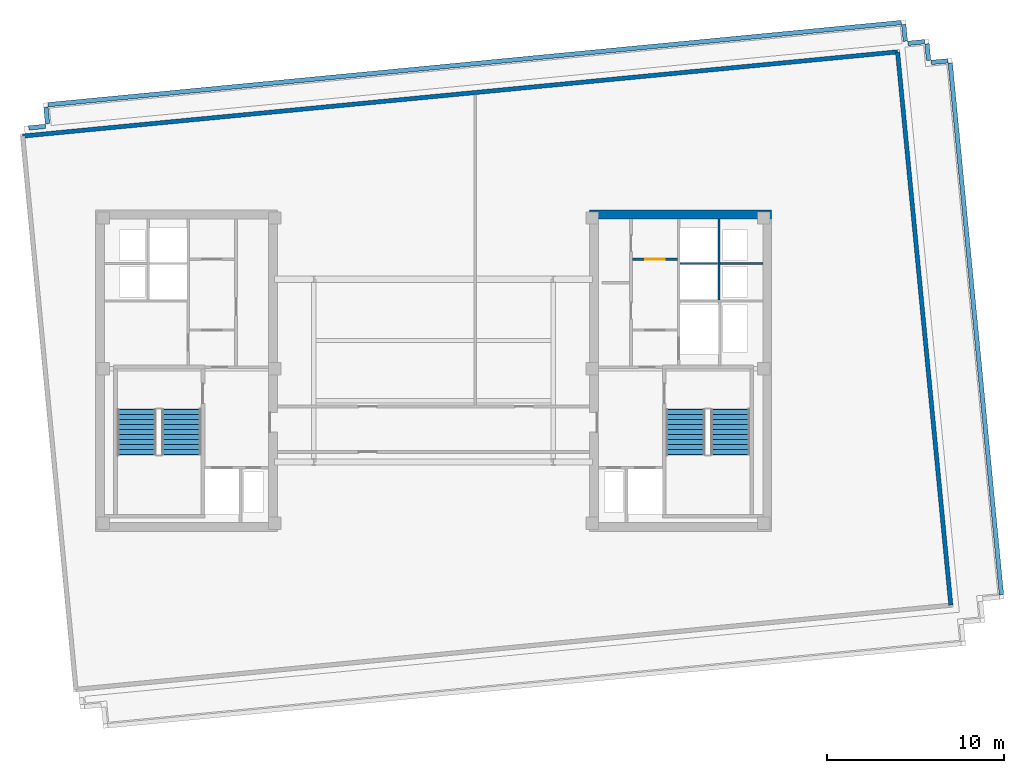
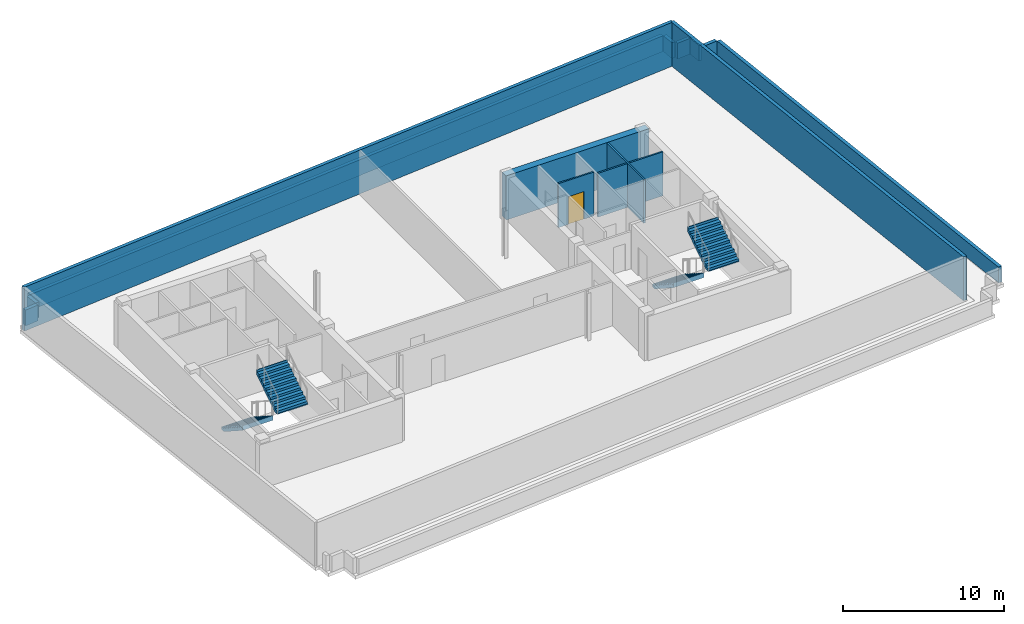
# One storey, part 4 of 8: 15 walls, 4 stair flights, 1 door, 1 opening, 2 elements without a shape of their own.
"""IFC4 building model written with IfcOpenShell, lengths in metres."""

from ifc_helpers import new_model, si_unit, direction, frame, frame_2d, origin, place, context, subcontext, project, spatial, polyline, rectangle, outline, extrude, material, layer, layer_set, type_object, element, fill, aggregate, save


model = new_model("IFC4")

# Units and contexts
model_context = context("Model", 3, precision=1e-05, world=origin(), true_north=direction((0.0, 1.0)))
body_context = subcontext(model_context, "Body", "Model", "MODEL_VIEW")
ifc_project = project(units=[si_unit("LENGTHUNIT", "METRE"), si_unit("AREAUNIT", "SQUARE_METRE"), si_unit("VOLUMEUNIT", "CUBIC_METRE"), si_unit("PLANEANGLEUNIT", "RADIAN"), si_unit("MASSUNIT", "GRAM", prefix="KILO")], contexts=[model_context])

# Site, building, storey
site_placement = place(None, origin())
site = spatial("IfcSite", under=ifc_project, at=site_placement, CompositionType="ELEMENT")
building_placement = place(site_placement, origin())
building = spatial("IfcBuilding", under=site, at=building_placement, Name="Velakula Bourse", CompositionType="ELEMENT")
storey_placement = place(building_placement, frame((0.0, 0.0, 286.949951171875)))
storey = spatial("IfcBuildingStorey", under=building, at=storey_placement, Name="L78", CompositionType="ELEMENT", Elevation=286.949951171875)

# Walls
ifc_material_1 = material(Name="Concrete M50 (fck 50 MPa)", Category="concrete")
ifc_layer_1 = layer(ifc_material_1, 0.5, Name="Concrete M50 (fck 50 MPa)", Category="concrete")
ifc_layer_set_1 = layer_set([ifc_layer_1], Name="Concrete M50 (fck 50 MPa)")
wall_type_1 = type_object("IfcWallType", Name="WL-CORE-500", PredefinedType="SHEAR", material=ifc_layer_set_1)
wall_1_placement = place(storey_placement, frame((8.800048828125, 8.800048828125, 0.0), z_axis=(0.0, 0.0, 1.0), x_axis=(1.0, 0.0, 0.0)))
element("IfcWall", 1, at=wall_1_placement, inside=storey, type_object=wall_type_1, Name="L78 Core E Shear Wall N", PredefinedType="SHEAR", context=body_context, shape_type="SweptSolid", body=[
    extrude(rectangle(XDim=10.25, YDim=0.5, at=frame_2d((5.125, 0.0))), origin(), (0.0, 0.0, 1.0), 3.35009765625),
])
ifc_material_2 = material(Name="Buff kilned clay facing brick masonry", Category="masonry")
ifc_layer_2 = layer(ifc_material_2, 0.239990234375, Name="Buff kilned clay facing brick masonry", Category="masonry")
ifc_layer_set_2 = layer_set([ifc_layer_2], Name="Buff kilned clay facing brick masonry")
wall_type_2 = type_object("IfcWallType", Name="WL-EXT-CRN-240", PredefinedType="STANDARD", material=ifc_layer_set_2)
wall_2_placement = place(storey_placement, frame((29.14697265625, -13.21484375, 0.0), z_axis=(0.0, 0.0, 1.0), x_axis=(-0.095847866435, 0.995395994818, 0.0)))
element("IfcWall", 2, at=wall_2_placement, inside=storey, type_object=wall_type_2, Name="L78 Crown Brick Acoustic Wall E", PredefinedType="STANDARD", context=body_context, shape_type="SweptSolid", body=[
    extrude(rectangle(XDim=31.320068359375, YDim=0.239990234375, at=frame_2d((15.66015625, 0.0))), origin(), (0.0, 0.0, 1.0), 3.330078125),
])
wall_3_placement = place(storey_placement, frame((26.14501953125, 17.9609375, 0.0), z_axis=(0.0, 0.0, 1.0), x_axis=(-0.995396555283, -0.095842045739, 0.0)))
element("IfcWall", 3, at=wall_3_placement, inside=storey, type_object=wall_type_2, Name="L78 Crown Brick Acoustic Wall N", PredefinedType="STANDARD", context=body_context, shape_type="SweptSolid", body=[
    extrude(rectangle(XDim=49.52001953125, YDim=0.239990234375, at=frame_2d((24.760009765625, 0.0))), origin(), (0.0, 0.0, 1.0), 3.330078125),
])
ifc_layer_3 = layer(ifc_material_2, 0.25, Name="Buff kilned clay facing brick masonry", Category="masonry")
ifc_layer_set_3 = layer_set([ifc_layer_3], Name="Buff kilned clay facing brick masonry")
wall_type_3 = type_object("IfcWallType", Name="WL-PAR-ROOF-250", PredefinedType="PARAPET", material=ifc_layer_set_3)
for number, where, z_axis, x_axis, name in (
    (4, (-22.80322265625, 13.6748046875, 0.0), (0.0, 0.0, 1.0), (0.995395693608, 0.095850994504, 0.0), "L78 Closed Roof Perimeter Parapet 1"),
    (5, (-21.75048828125, 13.906982421875, 0.0), (0.0, 0.0, 1.0), (-0.096108357165, 0.995370877454, 0.0), "L78 Closed Roof Perimeter Parapet 2"),
):
    element("IfcWall", number, at=place(storey_placement, frame(where, z_axis=z_axis, x_axis=x_axis)), inside=storey, type_object=wall_type_3, Name=name, PredefinedType="PARAPET", context=body_context, shape_type="SweptSolid", body=[
        extrude(rectangle(XDim=0.93994140625, YDim=0.25, at=frame_2d((0.469970703125, 0.0))), origin(), (0.0, 0.0, 1.0), 1.199951171875),
    ])
wall_4_placement = place(storey_placement, frame((-21.723876953125, 14.984375, 0.0), z_axis=(0.0, 0.0, 1.0), x_axis=(0.995396156603, 0.095846186259, 0.0)))
element("IfcWall", 6, at=wall_4_placement, inside=storey, type_object=wall_type_3, Name="L78 Closed Roof Perimeter Parapet 3", PredefinedType="PARAPET", context=body_context, shape_type="SweptSolid", body=[
    extrude(rectangle(XDim=48.30029296875, YDim=0.25, at=frame_2d((24.150146484375, 0.0))), origin(), (0.0, 0.0, 1.0), 1.199951171875),
])
wall_5_placement = place(storey_placement, frame((26.49560546875, 19.49658203125, 0.0), z_axis=(0.0, 0.0, 1.0), x_axis=(0.095875784384, -0.99539330617, 0.0)))
element("IfcWall", 7, at=wall_5_placement, inside=storey, type_object=wall_type_3, Name="L78 Closed Roof Perimeter Parapet 4", PredefinedType="PARAPET", context=body_context, shape_type="SweptSolid", body=[
    extrude(rectangle(XDim=0.939697265625, YDim=0.25, at=frame_2d((0.4697265625, 0.0))), origin(), (0.0, 0.0, 1.0), 1.199951171875),
])
wall_6_placement = place(storey_placement, frame((26.727783203125, 18.444091796875, 0.0), z_axis=(0.0, 0.0, 1.0), x_axis=(0.995395693608, 0.095850994504, 0.0)))
element("IfcWall", 8, at=wall_6_placement, inside=storey, type_object=wall_type_3, Name="L78 Closed Roof Perimeter Parapet 5", PredefinedType="PARAPET", context=body_context, shape_type="SweptSolid", body=[
    extrude(rectangle(XDim=0.93994140625, YDim=0.25, at=frame_2d((0.469970703125, 0.0))), origin(), (0.0, 0.0, 1.0), 1.199951171875),
])
for number, where, z_axis, x_axis, name in (
    (9, (27.80517578125, 18.41748046875, 0.0), (0.0, 0.0, 1.0), (0.095826217381, -0.995398079194, 0.0), "L78 Closed Roof Perimeter Parapet 6"),
    (10, (28.037109375, 17.36474609375, 0.0), (0.0, 0.0, 1.0), (0.995398079194, 0.095826217381, 0.0), "L78 Closed Roof Perimeter Parapet 7"),
):
    element("IfcWall", number, at=place(storey_placement, frame(where, z_axis=z_axis, x_axis=x_axis)), inside=storey, type_object=wall_type_3, Name=name, PredefinedType="PARAPET", context=body_context, shape_type="SweptSolid", body=[
        extrude(rectangle(XDim=0.940185546875, YDim=0.25, at=frame_2d((0.47021484375, 0.0))), origin(), (0.0, 0.0, 1.0), 1.199951171875),
    ])
wall_7_placement = place(storey_placement, frame((29.11474609375, 17.337890625, 0.0), z_axis=(0.0, 0.0, 1.0), x_axis=(0.095847483794, -0.995396031663, 0.0)))
element("IfcWall", 11, at=wall_7_placement, inside=storey, type_object=wall_type_3, Name="L78 Closed Roof Perimeter Parapet 8", PredefinedType="PARAPET", context=body_context, shape_type="SweptSolid", body=[
    extrude(rectangle(XDim=30.10009765625, YDim=0.25, at=frame_2d((15.050048828125, 0.0))), origin(), (0.0, 0.0, 1.0), 1.199951171875),
])

# Wall, opening, door
ifc_material_3 = material(Name="Fire-rated double-layer gypsum drywall partition", Category="gypsum")
ifc_layer_4 = layer(ifc_material_3, 0.1201171875, Name="Fire-rated double-layer gypsum drywall partition", Category="gypsum")
ifc_layer_set_4 = layer_set([ifc_layer_4], Name="Fire-rated double-layer gypsum drywall partition")
wall_type_4 = type_object("IfcWallType", Name="WL-PART-120", PredefinedType="STANDARD", material=ifc_layer_set_4)
wall_8_placement = place(storey_placement, frame((11.199951171875, 6.280029296875, 0.0), z_axis=(0.0, 0.0, 1.0), x_axis=(1.0, 0.0, 0.0)))
wall_8 = element("IfcWall", 12, at=wall_8_placement, inside=storey, type_object=wall_type_4, Name="L78 Interior Partition WL-CRE-L78-LL-K3B", PredefinedType="STANDARD", context=body_context, shape_type="SweptSolid", body=[
    extrude(rectangle(XDim=2.550048828125, YDim=0.1201171875, at=frame_2d((1.27490234375, 0.0))), origin(), (0.0, 0.0, 1.0), 3.330078125),
])
opening_placement = place(wall_8_placement, frame((0.72509765625, 0.0, 0.0)))
opening = element("IfcOpeningElement", 13, at=opening_placement, cuts=wall_8, Name="Opening D-LK3", PredefinedType="OPENING", context=body_context, shape_type="SweptSolid", body=[
    extrude(rectangle(XDim=1.10009765625, YDim=2.10009765625, at=frame_2d((0.550048828125, 1.050048828125))), frame((0.0, 0.070068359375, 0.0), z_axis=(0.0, -1.0, 0.0), x_axis=(1.0, 0.0, 0.0)), (0.0, 0.0, 1.0), 0.14013671875),
])
ifc_material_4 = material(Name="Fire-rated hardwood flush architectural door", Category="wood")
door_type = type_object("IfcDoorType", Name="DR-FD60-1100x2100", OperationType="NOTDEFINED", PredefinedType="DOOR", material=ifc_material_4)
door_placement = place(opening_placement, origin())
door = element("IfcDoor", 14, at=door_placement, inside=storey, type_object=door_type, Name="L78 Core E Lift Lobby Vestibule Door B", OperationType="SINGLE_SWING_LEFT", OverallHeight=2.10009765625, OverallWidth=1.10009765625, PredefinedType="DOOR", context=body_context, shape_type="SweptSolid", body=[
    extrude(rectangle(XDim=1.10009765625, YDim=2.10009765625, at=frame_2d((0.550048828125, 1.050048828125))), frame((0.0, 0.02490234375, 0.0), z_axis=(0.0, -1.0, 0.0), x_axis=(1.0, 0.0, 0.0)), (0.0, 0.0, 1.0), 0.050048828125),
])
fill(opening, door)

# Walls
wall_9_placement = place(storey_placement, frame((16.14990234375, 6.030029296875, 0.0), z_axis=(0.0, 0.0, 1.0), x_axis=(1.0, 0.0, 0.0)))
element("IfcWall", 15, at=wall_9_placement, inside=storey, type_object=wall_type_4, Name="L78 Interior Partition WL-CRE-L78-RIS-MID", PredefinedType="STANDARD", context=body_context, shape_type="SweptSolid", body=[
    extrude(rectangle(XDim=2.400146484375, YDim=0.1201171875, at=frame_2d((1.2001953125, 0.0))), origin(), (0.0, 0.0, 1.0), 3.330078125),
])
wall_10_placement = place(storey_placement, frame((16.074951171875, 3.97998046875, 0.0), z_axis=(0.0, 0.0, 1.0), x_axis=(0.0, 1.0, 0.0)))
element("IfcWall", 16, at=wall_10_placement, inside=storey, type_object=wall_type_4, Name="L78 Interior Partition WL-CRE-L78-RIS-F", PredefinedType="STANDARD", context=body_context, shape_type="SweptSolid", body=[
    extrude(rectangle(XDim=4.570068359375, YDim=0.1201171875, at=frame_2d((2.28515625, 0.0))), origin(), (0.0, 0.0, 1.0), 3.330078125),
])
wall_11_placement = place(storey_placement, frame((13.89990234375, 6.030029296875, 0.0), z_axis=(0.0, 0.0, 1.0), x_axis=(1.0, 0.0, 0.0)))
element("IfcWall", 17, at=wall_11_placement, inside=storey, type_object=wall_type_4, Name="L78 Interior Partition WL-CRE-L78-HI-DIV", PredefinedType="STANDARD", context=body_context, shape_type="SweptSolid", body=[
    extrude(rectangle(XDim=2.10009765625, YDim=0.1201171875, at=frame_2d((1.050048828125, 0.0))), origin(), (0.0, 0.0, 1.0), 3.330078125),
])

# Stair, stair flights
ifc_material_5 = material(Name="Concrete M45 (fck 45 MPa)", Category="concrete")
stair_type = type_object("IfcStairType", Name="STR-DOG-390", PredefinedType="HALF_TURN_STAIR", material=ifc_material_5)
stair_1_placement = place(storey_placement, origin())
stair_1 = element("IfcStair", 18, at=stair_1_placement, inside=storey, type_object=stair_type, Name="L78 West Core Exit Stair ST-W1", PredefinedType="HALF_TURN_STAIR")
ifc_layer_5 = layer(ifc_material_5, 0.195068359375, Name="Concrete M45 (fck 45 MPa)", Category="concrete")
ifc_layer_set_5 = layer_set([ifc_layer_5], Name="Concrete M45 (fck 45 MPa)")
stair_flight_type = type_object("IfcStairFlightType", Name="FLT-DOG-390", PredefinedType="STRAIGHT", material=ifc_layer_set_5)
stair_flight_1_placement = place(storey_placement, frame((-16.720947265625, -2.199951171875, 0.0), z_axis=(0.0, 0.0, 1.0), x_axis=(0.0, -1.0, 0.0)))
stair_flight_1 = element("IfcStairFlight", 19, at=stair_flight_1_placement, type_object=stair_flight_type, Name="ST-W1 flight 1", NumberOfRisers=10, NumberOfTreads=9, PredefinedType="STRAIGHT", RiserHeight=0.18, TreadLength=0.28, context=body_context, shape_type="SweptSolid", body=[
    extrude(outline(polyline([(-0.044921875, -0.0400390625), (-0.044921875, -0.036865234375), (-0.044921875, -0.033935546875), (-0.044921875, -0.03076171875), (-0.044921875, -0.027587890625), (-0.044921875, -0.024658203125), (-0.044921875, -0.021484375), (-0.044921875, -0.0185546875), (-0.044921875, -0.015380859375), (-0.044921875, -0.01220703125), (-0.044921875, -0.00927734375), (-0.044921875, -0.006103515625), (-0.044921875, -0.003173828125), (-0.044921875, 0.0), (0.0, 0.0), (0.0, 0.179931640625), (0.280029296875, 0.179931640625), (0.280029296875, 0.360107421875), (0.56005859375, 0.360107421875), (0.56005859375, 0.5400390625), (0.840087890625, 0.5400390625), (0.840087890625, 0.719970703125), (1.1201171875, 0.719970703125), (1.1201171875, 0.89990234375), (1.39990234375, 0.89990234375), (1.39990234375, 1.080078125), (1.679931640625, 1.080078125), (1.679931640625, 1.260009765625), (1.9599609375, 1.260009765625), (1.9599609375, 1.43994140625), (2.239990234375, 1.43994140625), (2.239990234375, 1.6201171875), (2.52001953125, 1.6201171875), (2.52001953125, 1.800048828125), (2.56494140625, 1.800048828125), (2.56494140625, 1.7744140625), (2.56494140625, 1.748779296875), (2.56494140625, 1.72314453125), (2.56494140625, 1.69775390625), (2.56494140625, 1.672119140625), (2.56494140625, 1.646484375), (2.56494140625, 1.620849609375), (2.56494140625, 1.59521484375), (2.56494140625, 1.56982421875), (2.56494140625, 1.544189453125), (2.56494140625, 1.5185546875), (2.56494140625, 1.492919921875), (2.56494140625, 1.46728515625), (2.56494140625, 1.44189453125), (0.277099609375, -0.0400390625), (-0.044921875, -0.0400390625)])), frame((0.0, 1.09912109375, 0.0), z_axis=(0.0, -1.0, 0.0), x_axis=(1.0, 0.0, 0.0)), (0.0, 0.0, 1.0), 2.197998046875),
])
stair_flight_2_placement = place(storey_placement, frame((-14.198974609375, -4.719970703125, 1.800048828125), z_axis=(0.0, 0.0, 1.0), x_axis=(0.0, 1.0, 0.0)))
stair_flight_2 = element("IfcStairFlight", 20, at=stair_flight_2_placement, type_object=stair_flight_type, Name="ST-W1 flight 2", NumberOfRisers=10, NumberOfTreads=9, PredefinedType="STRAIGHT", RiserHeight=0.18, TreadLength=0.28, context=body_context, shape_type="SweptSolid", body=[
    extrude(outline(polyline([(-0.044921875, -0.0400390625), (-0.044921875, -0.036865234375), (-0.044921875, -0.033935546875), (-0.044921875, -0.03076171875), (-0.044921875, -0.027587890625), (-0.044921875, -0.024658203125), (-0.044921875, -0.021484375), (-0.044921875, -0.0185546875), (-0.044921875, -0.015380859375), (-0.044921875, -0.01220703125), (-0.044921875, -0.00927734375), (-0.044921875, -0.006103515625), (-0.044921875, -0.003173828125), (-0.044921875, 0.0), (0.0, 0.0), (0.0, 0.179931640625), (0.280029296875, 0.179931640625), (0.280029296875, 0.360107421875), (0.56005859375, 0.360107421875), (0.56005859375, 0.5400390625), (0.840087890625, 0.5400390625), (0.840087890625, 0.719970703125), (1.1201171875, 0.719970703125), (1.1201171875, 0.89990234375), (1.39990234375, 0.89990234375), (1.39990234375, 1.080078125), (1.679931640625, 1.080078125), (1.679931640625, 1.260009765625), (1.9599609375, 1.260009765625), (1.9599609375, 1.43994140625), (2.239990234375, 1.43994140625), (2.239990234375, 1.6201171875), (2.52001953125, 1.6201171875), (2.52001953125, 1.800048828125), (2.56494140625, 1.800048828125), (2.56494140625, 1.7744140625), (2.56494140625, 1.748779296875), (2.56494140625, 1.72314453125), (2.56494140625, 1.69775390625), (2.56494140625, 1.672119140625), (2.56494140625, 1.646484375), (2.56494140625, 1.620849609375), (2.56494140625, 1.59521484375), (2.56494140625, 1.56982421875), (2.56494140625, 1.544189453125), (2.56494140625, 1.5185546875), (2.56494140625, 1.492919921875), (2.56494140625, 1.46728515625), (2.56494140625, 1.44189453125), (0.277099609375, -0.0400390625), (-0.044921875, -0.0400390625)])), frame((0.0, 1.09912109375, 0.0), z_axis=(0.0, -1.0, 0.0), x_axis=(1.0, 0.0, 0.0)), (0.0, 0.0, 1.0), 2.197998046875),
])
aggregate(stair_1, [stair_flight_1, stair_flight_2])

stair_2_placement = place(storey_placement, origin())
stair_2 = element("IfcStair", 21, at=stair_2_placement, inside=storey, type_object=stair_type, Name="L78 East Core Exit Stair ST-E1", PredefinedType="HALF_TURN_STAIR")
stair_flight_3_placement = place(storey_placement, frame((14.198974609375, -2.199951171875, 0.0), z_axis=(0.0, 0.0, 1.0), x_axis=(0.0, -1.0, 0.0)))
stair_flight_3 = element("IfcStairFlight", 22, at=stair_flight_3_placement, type_object=stair_flight_type, Name="ST-E1 flight 1", NumberOfRisers=10, NumberOfTreads=9, PredefinedType="STRAIGHT", RiserHeight=0.18, TreadLength=0.28, context=body_context, shape_type="SweptSolid", body=[
    extrude(outline(polyline([(-0.044921875, -0.0400390625), (-0.044921875, -0.036865234375), (-0.044921875, -0.033935546875), (-0.044921875, -0.03076171875), (-0.044921875, -0.027587890625), (-0.044921875, -0.024658203125), (-0.044921875, -0.021484375), (-0.044921875, -0.0185546875), (-0.044921875, -0.015380859375), (-0.044921875, -0.01220703125), (-0.044921875, -0.00927734375), (-0.044921875, -0.006103515625), (-0.044921875, -0.003173828125), (-0.044921875, 0.0), (0.0, 0.0), (0.0, 0.179931640625), (0.280029296875, 0.179931640625), (0.280029296875, 0.360107421875), (0.56005859375, 0.360107421875), (0.56005859375, 0.5400390625), (0.840087890625, 0.5400390625), (0.840087890625, 0.719970703125), (1.1201171875, 0.719970703125), (1.1201171875, 0.89990234375), (1.39990234375, 0.89990234375), (1.39990234375, 1.080078125), (1.679931640625, 1.080078125), (1.679931640625, 1.260009765625), (1.9599609375, 1.260009765625), (1.9599609375, 1.43994140625), (2.239990234375, 1.43994140625), (2.239990234375, 1.6201171875), (2.52001953125, 1.6201171875), (2.52001953125, 1.800048828125), (2.56494140625, 1.800048828125), (2.56494140625, 1.7744140625), (2.56494140625, 1.748779296875), (2.56494140625, 1.72314453125), (2.56494140625, 1.69775390625), (2.56494140625, 1.672119140625), (2.56494140625, 1.646484375), (2.56494140625, 1.620849609375), (2.56494140625, 1.59521484375), (2.56494140625, 1.56982421875), (2.56494140625, 1.544189453125), (2.56494140625, 1.5185546875), (2.56494140625, 1.492919921875), (2.56494140625, 1.46728515625), (2.56494140625, 1.44189453125), (0.277099609375, -0.0400390625), (-0.044921875, -0.0400390625)])), frame((0.0, 1.09912109375, 0.0), z_axis=(0.0, -1.0, 0.0), x_axis=(1.0, 0.0, 0.0)), (0.0, 0.0, 1.0), 2.197998046875),
])
stair_flight_4_placement = place(storey_placement, frame((16.720947265625, -4.719970703125, 1.800048828125), z_axis=(0.0, 0.0, 1.0), x_axis=(0.0, 1.0, 0.0)))
stair_flight_4 = element("IfcStairFlight", 23, at=stair_flight_4_placement, type_object=stair_flight_type, Name="ST-E1 flight 2", NumberOfRisers=10, NumberOfTreads=9, PredefinedType="STRAIGHT", RiserHeight=0.18, TreadLength=0.28, context=body_context, shape_type="SweptSolid", body=[
    extrude(outline(polyline([(-0.044921875, -0.0400390625), (-0.044921875, -0.036865234375), (-0.044921875, -0.033935546875), (-0.044921875, -0.03076171875), (-0.044921875, -0.027587890625), (-0.044921875, -0.024658203125), (-0.044921875, -0.021484375), (-0.044921875, -0.0185546875), (-0.044921875, -0.015380859375), (-0.044921875, -0.01220703125), (-0.044921875, -0.00927734375), (-0.044921875, -0.006103515625), (-0.044921875, -0.003173828125), (-0.044921875, 0.0), (0.0, 0.0), (0.0, 0.179931640625), (0.280029296875, 0.179931640625), (0.280029296875, 0.360107421875), (0.56005859375, 0.360107421875), (0.56005859375, 0.5400390625), (0.840087890625, 0.5400390625), (0.840087890625, 0.719970703125), (1.1201171875, 0.719970703125), (1.1201171875, 0.89990234375), (1.39990234375, 0.89990234375), (1.39990234375, 1.080078125), (1.679931640625, 1.080078125), (1.679931640625, 1.260009765625), (1.9599609375, 1.260009765625), (1.9599609375, 1.43994140625), (2.239990234375, 1.43994140625), (2.239990234375, 1.6201171875), (2.52001953125, 1.6201171875), (2.52001953125, 1.800048828125), (2.56494140625, 1.800048828125), (2.56494140625, 1.7744140625), (2.56494140625, 1.748779296875), (2.56494140625, 1.72314453125), (2.56494140625, 1.69775390625), (2.56494140625, 1.672119140625), (2.56494140625, 1.646484375), (2.56494140625, 1.620849609375), (2.56494140625, 1.59521484375), (2.56494140625, 1.56982421875), (2.56494140625, 1.544189453125), (2.56494140625, 1.5185546875), (2.56494140625, 1.492919921875), (2.56494140625, 1.46728515625), (2.56494140625, 1.44189453125), (0.277099609375, -0.0400390625), (-0.044921875, -0.0400390625)])), frame((0.0, 1.09912109375, 0.0), z_axis=(0.0, -1.0, 0.0), x_axis=(1.0, 0.0, 0.0)), (0.0, 0.0, 1.0), 2.197998046875),
])
aggregate(stair_2, [stair_flight_3, stair_flight_4])

save(model, "model.ifc")
